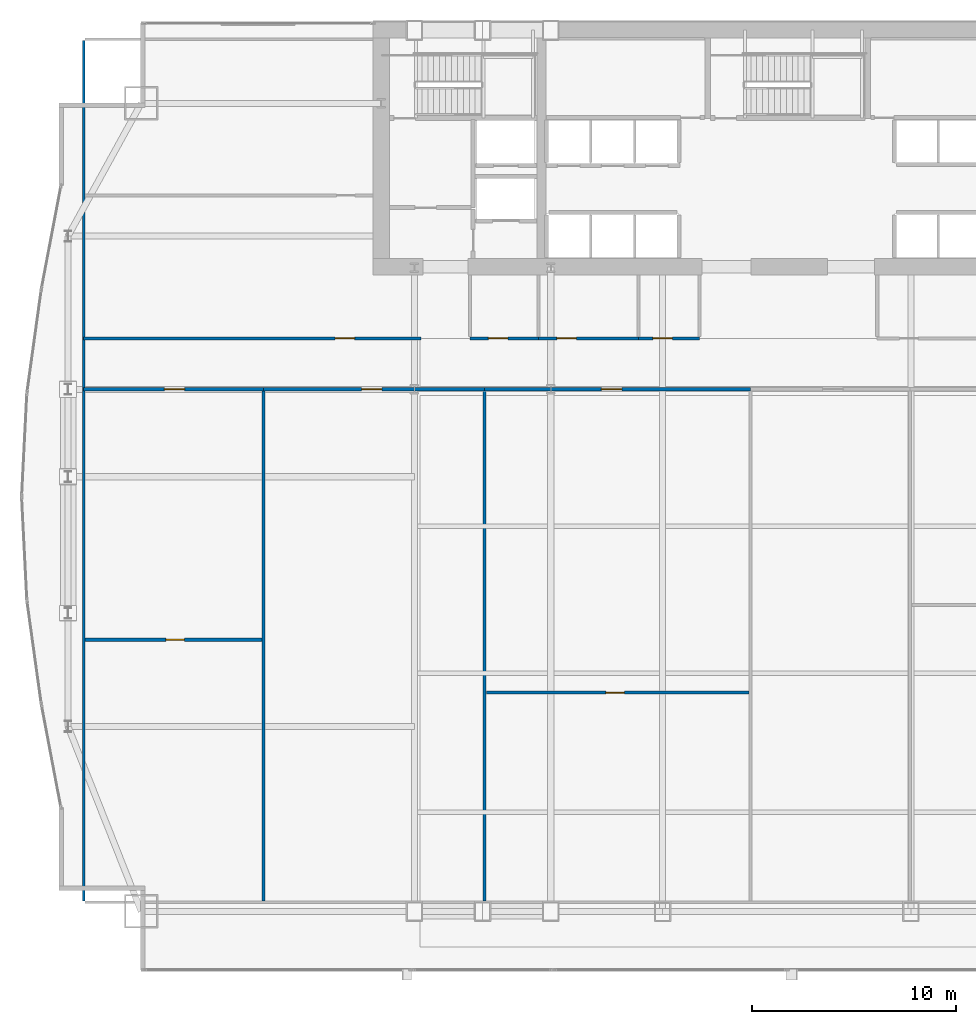
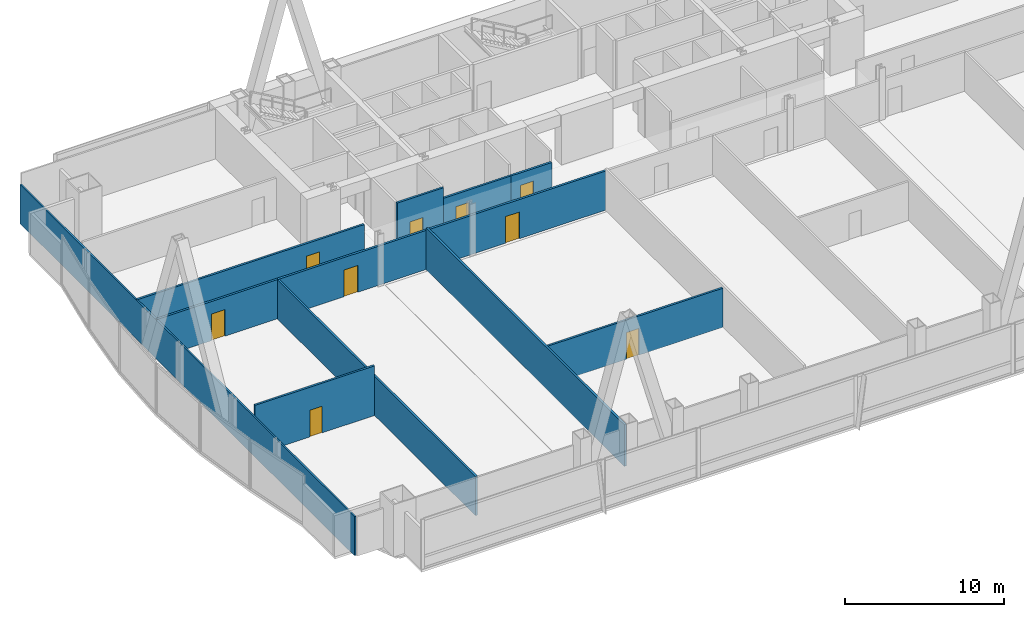
# One storey, part 30 of 37: 12 walls, 9 doors, 9 openings.
"""IFC4 building model written with IfcOpenShell, lengths in metres."""

from ifc_helpers import new_model, si_unit, direction, frame, frame_2d, origin, place, context, subcontext, project, spatial, rectangle, extrude, material, layer, layer_set, type_object, element, fill, save


model = new_model("IFC4")

# Units and contexts
model_context = context("Model", 3, precision=1e-05, world=origin(), true_north=direction((0.0, 1.0)))
body_context = subcontext(model_context, "Body", "Model", "MODEL_VIEW")
ifc_project = project(units=[si_unit("LENGTHUNIT", "METRE"), si_unit("AREAUNIT", "SQUARE_METRE"), si_unit("VOLUMEUNIT", "CUBIC_METRE"), si_unit("PLANEANGLEUNIT", "RADIAN"), si_unit("MASSUNIT", "GRAM", prefix="KILO")], contexts=[model_context])

# Site, building, storey
site_placement = place(None, origin())
site = spatial("IfcSite", under=ifc_project, at=site_placement, CompositionType="ELEMENT")
building_placement = place(site_placement, origin())
building = spatial("IfcBuilding", under=site, at=building_placement, Name="Khoronbel Lancet Exchange", CompositionType="ELEMENT")
storey_placement = place(building_placement, frame((0.0, 0.0, 61.800048828125)))
storey = spatial("IfcBuildingStorey", under=building, at=storey_placement, Name="L14", CompositionType="ELEMENT", Elevation=61.800048828125)

# Wall, opening, door
ifc_material_1 = material(Name="Acoustic Metal-Stud & Mineral-Wool Gypsum Partition 120 mm", Category="gypsum")
ifc_layer_1 = layer(ifc_material_1, 0.1201171875, Name="Acoustic Metal-Stud & Mineral-Wool Gypsum Partition 120 mm")
ifc_layer_set_1 = layer_set([ifc_layer_1], Name="Acoustic Metal-Stud & Mineral-Wool Gypsum Partition 120 mm")
wall_type_1 = type_object("IfcWallType", Name="WL-PRT120", PredefinedType="PARTITIONING", material=ifc_layer_set_1)
wall_1_placement = place(storey_placement, frame((2.094970703125, 23.445068359375, 0.0), z_axis=(0.0, 0.0, 1.0), x_axis=(1.0, 0.0, 0.0)))
wall_1 = element("IfcWall", 1, at=wall_1_placement, inside=storey, type_object=wall_type_1, Name="Level L14 interior partition PW-Z1S-H1", PredefinedType="PARTITIONING", context=body_context, shape_type="SweptSolid", body=[
    extrude(rectangle(XDim=8.66845703125, YDim=0.14990234375, at=frame_2d((4.334228515625, 0.0))), origin(), (0.0, 0.0, 1.0), 3.820068359375),
])
opening_1_placement = place(wall_1_placement, frame((3.966064453125, 0.0, 0.0)))
opening_1 = element("IfcOpeningElement", 2, at=opening_1_placement, cuts=wall_1, Name="Opening D5", PredefinedType="OPENING", context=body_context, shape_type="SweptSolid", body=[
    extrude(rectangle(XDim=0.89990234375, YDim=2.050048828125, at=frame_2d((0.449951171875, 1.02490234375))), frame((0.0, 0.0849609375, 0.0), z_axis=(0.0, -1.0, 0.0), x_axis=(1.0, 0.0, 0.0)), (0.0, 0.0, 1.0), 0.169921875),
])
ifc_material_2 = material(Name="Acoustic Timber Pantry & Support Door", Category="wood")
door_type_1 = type_object("IfcDoorType", Name="DR-D5", OperationType="NOTDEFINED", PredefinedType="DOOR", material=ifc_material_2)
door_1_placement = place(opening_1_placement, origin())
door_1 = element("IfcDoor", 3, at=door_1_placement, inside=storey, type_object=door_type_1, Name="Z1S inner door 1 L14-1", OperationType="SINGLE_SWING_RIGHT", OverallHeight=2.050048828125, OverallWidth=0.89990234375, PredefinedType="DOOR", context=body_context, shape_type="SweptSolid", body=[
    extrude(rectangle(XDim=0.89990234375, YDim=2.050048828125, at=frame_2d((0.449951171875, 1.02490234375))), frame((0.0, 0.02490234375, 0.0), z_axis=(0.0, -1.0, 0.0), x_axis=(1.0, 0.0, 0.0)), (0.0, 0.0, 1.0), 0.050048828125),
])
fill(opening_1, door_1)

wall_2_placement = place(storey_placement, frame((21.74365234375, 20.860595703125, 0.0), z_axis=(0.0, 0.0, 1.0), x_axis=(1.0, 0.0, 0.0)))
wall_2 = element("IfcWall", 4, at=wall_2_placement, inside=storey, type_object=wall_type_1, Name="Level L14 interior partition PW-Z1S-H3", PredefinedType="PARTITIONING", context=body_context, shape_type="SweptSolid", body=[
    extrude(rectangle(XDim=12.85693359375, YDim=0.14990234375, at=frame_2d((6.428466796875, 0.0))), origin(), (0.0, 0.0, 1.0), 3.010009765625),
])
opening_2_placement = place(wall_2_placement, frame((5.857666015625, 0.0, 0.0)))
opening_2 = element("IfcOpeningElement", 5, at=opening_2_placement, cuts=wall_2, Name="Opening D5", PredefinedType="OPENING", context=body_context, shape_type="SweptSolid", body=[
    extrude(rectangle(XDim=0.89990234375, YDim=2.050048828125, at=frame_2d((0.449951171875, 1.02490234375))), frame((0.0, 0.0849609375, 0.0), z_axis=(0.0, -1.0, 0.0), x_axis=(1.0, 0.0, 0.0)), (0.0, 0.0, 1.0), 0.169921875),
])
door_2_placement = place(opening_2_placement, origin())
door_2 = element("IfcDoor", 6, at=door_2_placement, inside=storey, type_object=door_type_1, Name="Z1S inner door 3 L14-1", OperationType="SINGLE_SWING_LEFT", OverallHeight=2.050048828125, OverallWidth=0.89990234375, PredefinedType="DOOR", context=body_context, shape_type="SweptSolid", body=[
    extrude(rectangle(XDim=0.89990234375, YDim=2.050048828125, at=frame_2d((0.449951171875, 1.02490234375))), frame((0.0, 0.02490234375, 0.0), z_axis=(0.0, -1.0, 0.0), x_axis=(1.0, 0.0, 0.0)), (0.0, 0.0, 1.0), 0.050048828125),
])
fill(opening_2, door_2)

# Wall
wall_3_placement = place(storey_placement, frame((2.030029296875, 10.6650390625, 0.0), z_axis=(0.0, 0.0, 1.0), x_axis=(0.0, 1.0, 0.0)))
element("IfcWall", 7, at=wall_3_placement, inside=storey, type_object=wall_type_1, Name="Level L14 interior partition PW-LIN-W", PredefinedType="PARTITIONING", context=body_context, shape_type="SweptSolid", body=[
    extrude(rectangle(XDim=42.10986328125, YDim=0.1201171875, at=frame_2d((21.054931640625, 0.0))), origin(), (0.0, 0.0, 1.0), 3.010009765625),
])

# Wall, opening, door
ifc_material_3 = material(Name="Fire-Rated Twin-Stud Acoustic Gypsum Partition 150 mm", Category="gypsum")
ifc_layer_2 = layer(ifc_material_3, 0.14990234375, Name="Fire-Rated Twin-Stud Acoustic Gypsum Partition 150 mm")
ifc_layer_set_2 = layer_set([ifc_layer_2], Name="Fire-Rated Twin-Stud Acoustic Gypsum Partition 150 mm")
wall_type_2 = type_object("IfcWallType", Name="WL-PRT150C", PredefinedType="PARTITIONING", material=ifc_layer_set_2)
wall_4_placement = place(storey_placement, frame((20.949951171875, 38.199951171875, 0.0), z_axis=(0.0, 0.0, 1.0), x_axis=(1.0, 0.0, 0.0)))
wall_4 = element("IfcWall", 8, at=wall_4_placement, inside=storey, type_object=wall_type_2, Name="Level L14 interior partition PW-WC-S1", PredefinedType="PARTITIONING", context=body_context, shape_type="SweptSolid", body=[
    extrude(rectangle(XDim=3.35009765625, YDim=0.14990234375, at=frame_2d((1.675048828125, 0.0))), origin(), (0.0, 0.0, 1.0), 3.820068359375),
])
opening_3_placement = place(wall_4_placement, frame((0.89990234375, 0.0, 0.0)))
opening_3 = element("IfcOpeningElement", 9, at=opening_3_placement, cuts=wall_4, Name="Opening D4", PredefinedType="OPENING", context=body_context, shape_type="SweptSolid", body=[
    extrude(rectangle(XDim=0.949951171875, YDim=2.050048828125, at=frame_2d((0.47509765625, 1.02490234375))), frame((0.0, 0.0849609375, 0.0), z_axis=(0.0, -1.0, 0.0), x_axis=(1.0, 0.0, 0.0)), (0.0, 0.0, 1.0), 0.169921875),
])
ifc_material_4 = material(Name="Moisture-Resistant HPL Washroom Door", Category="wood")
door_type_2 = type_object("IfcDoorType", Name="DR-D4", OperationType="NOTDEFINED", PredefinedType="DOOR", material=ifc_material_4)
door_3_placement = place(opening_3_placement, origin())
door_3 = element("IfcDoor", 10, at=door_3_placement, inside=storey, type_object=door_type_2, Name="Male washroom door L14-1", OperationType="SINGLE_SWING_RIGHT", OverallHeight=2.050048828125, OverallWidth=0.949951171875, PredefinedType="DOOR", context=body_context, shape_type="SweptSolid", body=[
    extrude(rectangle(XDim=0.949951171875, YDim=2.050048828125, at=frame_2d((0.47509765625, 1.02490234375))), frame((0.0, 0.02490234375, 0.0), z_axis=(0.0, -1.0, 0.0), x_axis=(1.0, 0.0, 0.0)), (0.0, 0.0, 1.0), 0.050048828125),
])
fill(opening_3, door_3)

wall_5_placement = place(storey_placement, frame((24.300048828125, 38.199951171875, 0.0), z_axis=(0.0, 0.0, 1.0), x_axis=(1.0, 0.0, 0.0)))
wall_5 = element("IfcWall", 11, at=wall_5_placement, inside=storey, type_object=wall_type_2, Name="Level L14 interior partition PW-WC-S2", PredefinedType="PARTITIONING", context=body_context, shape_type="SweptSolid", body=[
    extrude(rectangle(XDim=4.89990234375, YDim=0.14990234375, at=frame_2d((2.449951171875, 0.0))), origin(), (0.0, 0.0, 1.0), 3.010009765625),
])
opening_4_placement = place(wall_5_placement, frame((0.89990234375, 0.0, 0.0)))
opening_4 = element("IfcOpeningElement", 12, at=opening_4_placement, cuts=wall_5, Name="Opening D4", PredefinedType="OPENING", context=body_context, shape_type="SweptSolid", body=[
    extrude(rectangle(XDim=0.949951171875, YDim=2.050048828125, at=frame_2d((0.47509765625, 1.02490234375))), frame((0.0, 0.0849609375, 0.0), z_axis=(0.0, -1.0, 0.0), x_axis=(1.0, 0.0, 0.0)), (0.0, 0.0, 1.0), 0.169921875),
])
door_4_placement = place(opening_4_placement, origin())
door_4 = element("IfcDoor", 13, at=door_4_placement, inside=storey, type_object=door_type_2, Name="Female washroom door L14-1", OperationType="SINGLE_SWING_LEFT", OverallHeight=2.050048828125, OverallWidth=0.949951171875, PredefinedType="DOOR", context=body_context, shape_type="SweptSolid", body=[
    extrude(rectangle(XDim=0.949951171875, YDim=2.050048828125, at=frame_2d((0.47509765625, 1.02490234375))), frame((0.0, 0.02490234375, 0.0), z_axis=(0.0, -1.0, 0.0), x_axis=(1.0, 0.0, 0.0)), (0.0, 0.0, 1.0), 0.050048828125),
])
fill(opening_4, door_4)

wall_6_placement = place(storey_placement, frame((29.199951171875, 38.199951171875, 0.0), z_axis=(0.0, 0.0, 1.0), x_axis=(1.0, 0.0, 0.0)))
wall_6 = element("IfcWall", 14, at=wall_6_placement, inside=storey, type_object=wall_type_2, Name="Level L14 interior partition PW-WC-S3", PredefinedType="PARTITIONING", context=body_context, shape_type="SweptSolid", body=[
    extrude(rectangle(XDim=2.97998046875, YDim=0.14990234375, at=frame_2d((1.489990234375, 0.0))), origin(), (0.0, 0.0, 1.0), 3.010009765625),
])
opening_5_placement = place(wall_6_placement, frame((0.699951171875, 0.0, 0.0)))
opening_5 = element("IfcOpeningElement", 15, at=opening_5_placement, cuts=wall_6, Name="Opening D4", PredefinedType="OPENING", context=body_context, shape_type="SweptSolid", body=[
    extrude(rectangle(XDim=0.949951171875, YDim=2.050048828125, at=frame_2d((0.47509765625, 1.02490234375))), frame((0.0, 0.0849609375, 0.0), z_axis=(0.0, -1.0, 0.0), x_axis=(1.0, 0.0, 0.0)), (0.0, 0.0, 1.0), 0.169921875),
])
door_5_placement = place(opening_5_placement, origin())
door_5 = element("IfcDoor", 16, at=door_5_placement, inside=storey, type_object=door_type_2, Name="Accessible WC door L14-1", OperationType="SINGLE_SWING_RIGHT", OverallHeight=2.050048828125, OverallWidth=0.949951171875, PredefinedType="DOOR", context=body_context, shape_type="SweptSolid", body=[
    extrude(rectangle(XDim=0.949951171875, YDim=2.050048828125, at=frame_2d((0.47509765625, 1.02490234375))), frame((0.0, 0.02490234375, 0.0), z_axis=(0.0, -1.0, 0.0), x_axis=(1.0, 0.0, 0.0)), (0.0, 0.0, 1.0), 0.050048828125),
])
fill(opening_5, door_5)

wall_7_placement = place(storey_placement, frame((2.030029296875, 38.199951171875, 0.0), z_axis=(0.0, 0.0, 1.0), x_axis=(1.0, 0.0, 0.0)))
wall_7 = element("IfcWall", 17, at=wall_7_placement, inside=storey, type_object=wall_type_2, Name="Level L14 interior partition PW-NW-S", PredefinedType="PARTITIONING", context=body_context, shape_type="SweptSolid", body=[
    extrude(rectangle(XDim=16.52001953125, YDim=0.14990234375, at=frame_2d((8.260009765625, 0.0))), origin(), (0.0, 0.0, 1.0), 3.010009765625),
])
opening_6_placement = place(wall_7_placement, frame((12.320068359375, 0.0, 0.0)))
opening_6 = element("IfcOpeningElement", 18, at=opening_6_placement, cuts=wall_7, Name="Opening D1", PredefinedType="OPENING", context=body_context, shape_type="SweptSolid", body=[
    extrude(rectangle(XDim=0.949951171875, YDim=2.050048828125, at=frame_2d((0.47509765625, 1.02490234375))), frame((0.0, 0.0849609375, 0.0), z_axis=(0.0, -1.0, 0.0), x_axis=(1.0, 0.0, 0.0)), (0.0, 0.0, 1.0), 0.169921875),
])
ifc_material_5 = material(Name="Acoustic Veneered Timber & Bronze Frame Door", Category="wood")
door_type_3 = type_object("IfcDoorType", Name="DR-D1", OperationType="NOTDEFINED", PredefinedType="DOOR", material=ifc_material_5)
door_6_placement = place(opening_6_placement, origin())
door_6 = element("IfcDoor", 19, at=door_6_placement, inside=storey, type_object=door_type_3, Name="NW corner room door L14-1", OperationType="SINGLE_SWING_LEFT", OverallHeight=2.050048828125, OverallWidth=0.949951171875, PredefinedType="DOOR", context=body_context, shape_type="SweptSolid", body=[
    extrude(rectangle(XDim=0.949951171875, YDim=2.050048828125, at=frame_2d((0.47509765625, 1.02490234375))), frame((0.0, 0.02490234375, 0.0), z_axis=(0.0, -1.0, 0.0), x_axis=(1.0, 0.0, 0.0)), (0.0, 0.0, 1.0), 0.050048828125),
])
fill(opening_6, door_6)

# Walls
wall_8_placement = place(storey_placement, frame((10.843505859375, 10.6650390625, 0.0), z_axis=(0.0, 0.0, 1.0), x_axis=(0.0, 1.0, 0.0)))
element("IfcWall", 20, at=wall_8_placement, inside=storey, type_object=wall_type_2, Name="Level L14 interior partition PW-Z1S-V1", PredefinedType="PARTITIONING", context=body_context, shape_type="SweptSolid", body=[
    extrude(rectangle(XDim=24.949951171875, YDim=0.14990234375, at=frame_2d((12.47509765625, 0.0))), origin(), (0.0, 0.0, 1.0), 3.010009765625),
])
wall_9_placement = place(storey_placement, frame((21.663818359375, 10.6650390625, 0.0), z_axis=(0.0, 0.0, 1.0), x_axis=(0.0, 1.0, 0.0)))
element("IfcWall", 21, at=wall_9_placement, inside=storey, type_object=wall_type_2, Name="Level L14 interior partition PW-Z1S-V2", PredefinedType="PARTITIONING", context=body_context, shape_type="SweptSolid", body=[
    extrude(rectangle(XDim=24.949951171875, YDim=0.14990234375, at=frame_2d((12.47509765625, 0.0))), origin(), (0.0, 0.0, 1.0), 3.2099609375),
])

# Wall, opening, door
ifc_material_6 = material(Name="Fire-Rated Twin-Stud Acoustic Gypsum Partition 160 mm", Category="gypsum")
ifc_layer_3 = layer(ifc_material_6, 0.159912109375, Name="Fire-Rated Twin-Stud Acoustic Gypsum Partition 160 mm")
ifc_layer_set_3 = layer_set([ifc_layer_3], Name="Fire-Rated Twin-Stud Acoustic Gypsum Partition 160 mm")
wall_type_3 = type_object("IfcWallType", Name="WL-PRT160C", PredefinedType="PARTITIONING", material=ifc_layer_set_3)
wall_10_placement = place(storey_placement, frame((2.030029296875, 35.699951171875, 0.0), z_axis=(0.0, 0.0, 1.0), x_axis=(1.0, 0.0, 0.0)))
wall_10 = element("IfcWall", 22, at=wall_10_placement, inside=storey, type_object=wall_type_3, Name="Level L14 interior partition PW-Z1S-COR1", PredefinedType="PARTITIONING", context=body_context, shape_type="SweptSolid", body=[
    extrude(rectangle(XDim=8.8134765625, YDim=0.159912109375, at=frame_2d((4.40673828125, 0.0))), origin(), (0.0, 0.0, 1.0), 3.010009765625),
])
opening_7_placement = place(wall_10_placement, frame((3.95166015625, 0.0, 0.0)))
opening_7 = element("IfcOpeningElement", 23, at=opening_7_placement, cuts=wall_10, Name="Opening D2", PredefinedType="OPENING", context=body_context, shape_type="SweptSolid", body=[
    extrude(rectangle(XDim=1.0, YDim=2.050048828125, at=frame_2d((0.5, 1.02490234375))), frame((0.0, 0.08984375, 0.0), z_axis=(0.0, -1.0, 0.0), x_axis=(1.0, 0.0, 0.0)), (0.0, 0.0, 1.0), 0.179931640625),
])
door_type_4 = type_object("IfcDoorType", Name="DR-D2", OperationType="NOTDEFINED", PredefinedType="DOOR", material=ifc_material_5)
door_7_placement = place(opening_7_placement, origin())
door_7 = element("IfcDoor", 24, at=door_7_placement, inside=storey, type_object=door_type_4, Name="Z1S bay 1 door L14-1", OperationType="SINGLE_SWING_LEFT", OverallHeight=2.050048828125, OverallWidth=1.0, PredefinedType="DOOR", context=body_context, shape_type="SweptSolid", body=[
    extrude(rectangle(XDim=1.0, YDim=2.050048828125, at=frame_2d((0.5, 1.02490234375))), frame((0.0, 0.02490234375, 0.0), z_axis=(0.0, -1.0, 0.0), x_axis=(1.0, 0.0, 0.0)), (0.0, 0.0, 1.0), 0.050048828125),
])
fill(opening_7, door_7)

wall_11_placement = place(storey_placement, frame((10.843505859375, 35.699951171875, 0.0), z_axis=(0.0, 0.0, 1.0), x_axis=(1.0, 0.0, 0.0)))
wall_11 = element("IfcWall", 25, at=wall_11_placement, inside=storey, type_object=wall_type_3, Name="Level L14 interior partition PW-Z1S-COR2", PredefinedType="PARTITIONING", context=body_context, shape_type="SweptSolid", body=[
    extrude(rectangle(XDim=10.8203125, YDim=0.159912109375, at=frame_2d((5.41015625, 0.0))), origin(), (0.0, 0.0, 1.0), 3.010009765625),
])
opening_8_placement = place(wall_11_placement, frame((4.79443359375, 0.0, 0.0)))
opening_8 = element("IfcOpeningElement", 26, at=opening_8_placement, cuts=wall_11, Name="Opening D2", PredefinedType="OPENING", context=body_context, shape_type="SweptSolid", body=[
    extrude(rectangle(XDim=1.0, YDim=2.050048828125, at=frame_2d((0.5, 1.02490234375))), frame((0.0, 0.08984375, 0.0), z_axis=(0.0, -1.0, 0.0), x_axis=(1.0, 0.0, 0.0)), (0.0, 0.0, 1.0), 0.179931640625),
])
door_8_placement = place(opening_8_placement, origin())
door_8 = element("IfcDoor", 27, at=door_8_placement, inside=storey, type_object=door_type_4, Name="Z1S bay 2 door L14-1", OperationType="SINGLE_SWING_LEFT", OverallHeight=2.050048828125, OverallWidth=1.0, PredefinedType="DOOR", context=body_context, shape_type="SweptSolid", body=[
    extrude(rectangle(XDim=1.0, YDim=2.050048828125, at=frame_2d((0.5, 1.02490234375))), frame((0.0, 0.02490234375, 0.0), z_axis=(0.0, -1.0, 0.0), x_axis=(1.0, 0.0, 0.0)), (0.0, 0.0, 1.0), 0.050048828125),
])
fill(opening_8, door_8)

wall_12_placement = place(storey_placement, frame((21.663818359375, 35.699951171875, 0.0), z_axis=(0.0, 0.0, 1.0), x_axis=(1.0, 0.0, 0.0)))
wall_12 = element("IfcWall", 28, at=wall_12_placement, inside=storey, type_object=wall_type_3, Name="Level L14 interior partition PW-Z1S-COR3", PredefinedType="PARTITIONING", context=body_context, shape_type="SweptSolid", body=[
    extrude(rectangle(XDim=13.0166015625, YDim=0.159912109375, at=frame_2d((6.50830078125, 0.0))), origin(), (0.0, 0.0, 1.0), 3.010009765625),
])
opening_9_placement = place(wall_12_placement, frame((5.717041015625, 0.0, 0.0)))
opening_9 = element("IfcOpeningElement", 29, at=opening_9_placement, cuts=wall_12, Name="Opening D2", PredefinedType="OPENING", context=body_context, shape_type="SweptSolid", body=[
    extrude(rectangle(XDim=1.0, YDim=2.050048828125, at=frame_2d((0.5, 1.02490234375))), frame((0.0, 0.08984375, 0.0), z_axis=(0.0, -1.0, 0.0), x_axis=(1.0, 0.0, 0.0)), (0.0, 0.0, 1.0), 0.179931640625),
])
door_9_placement = place(opening_9_placement, origin())
door_9 = element("IfcDoor", 30, at=door_9_placement, inside=storey, type_object=door_type_4, Name="Z1S bay 3 door L14-1", OperationType="SINGLE_SWING_RIGHT", OverallHeight=2.050048828125, OverallWidth=1.0, PredefinedType="DOOR", context=body_context, shape_type="SweptSolid", body=[
    extrude(rectangle(XDim=1.0, YDim=2.050048828125, at=frame_2d((0.5, 1.02490234375))), frame((0.0, 0.02490234375, 0.0), z_axis=(0.0, -1.0, 0.0), x_axis=(1.0, 0.0, 0.0)), (0.0, 0.0, 1.0), 0.050048828125),
])
fill(opening_9, door_9)

save(model, "model.ifc")
